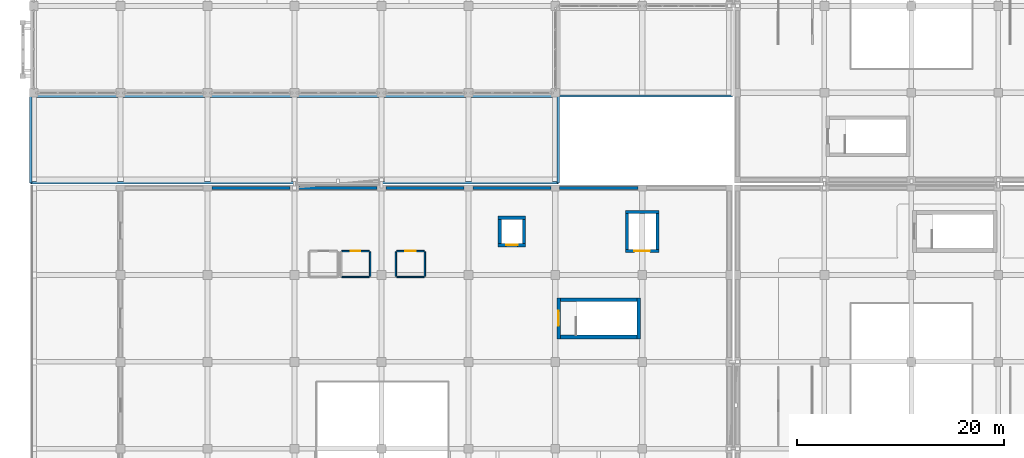
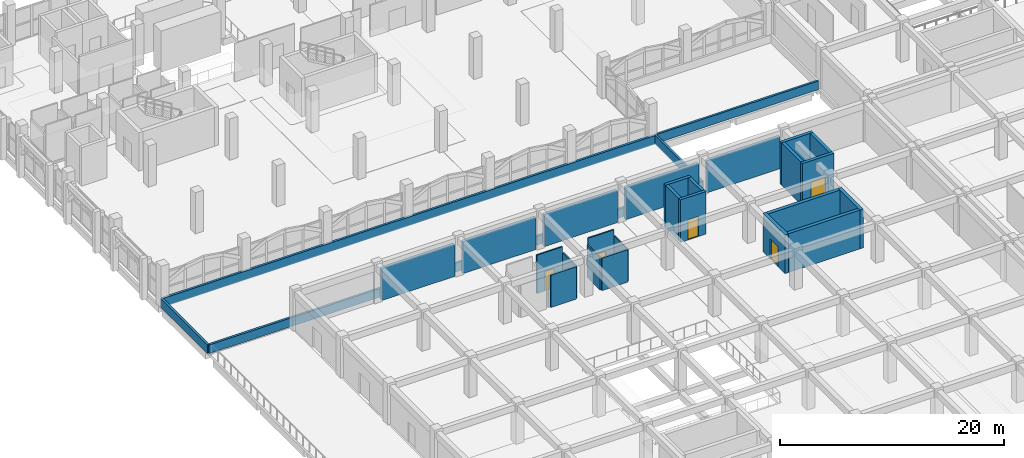
# One storey, part 109 of 129: 29 walls, 5 doors, 5 openings.
"""IFC4 building model written with IfcOpenShell, lengths in metres."""

from ifc_helpers import new_model, si_unit, direction, frame, frame_2d, origin, place, context, subcontext, project, spatial, rectangle, extrude, material, layer, layer_set, type_object, element, fill, save


model = new_model("IFC4")

# Units and contexts
model_context = context("Model", 3, precision=1e-05, world=origin(), true_north=direction((0.0, 1.0)))
body_context = subcontext(model_context, "Body", "Model", "MODEL_VIEW")
ifc_project = project(units=[si_unit("LENGTHUNIT", "METRE"), si_unit("AREAUNIT", "SQUARE_METRE"), si_unit("VOLUMEUNIT", "CUBIC_METRE"), si_unit("PLANEANGLEUNIT", "RADIAN"), si_unit("MASSUNIT", "GRAM", prefix="KILO")], contexts=[model_context])

# Site, building, storey
site_placement = place(None, origin())
site = spatial("IfcSite", under=ifc_project, at=site_placement, CompositionType="ELEMENT")
building_placement = place(site_placement, origin())
building = spatial("IfcBuilding", under=site, at=building_placement, Name="Xazarin Passage Department Store", CompositionType="ELEMENT")
storey_placement = place(building_placement, frame((0.0, 0.0, 9.89990234375)))
storey = spatial("IfcBuildingStorey", under=building, at=storey_placement, Name="L02", CompositionType="ELEMENT", Elevation=9.89990234375)

# Walls
ifc_material_1 = material(Name="Buff Baku clay brick", Category="masonry")
ifc_layer_1 = layer(ifc_material_1, 0.320068359375)
ifc_layer_set_1 = layer_set([ifc_layer_1], Name="Buff Baku clay brick")
wall_type_1 = type_object("IfcWallType", Name="ARC-W-EXT320", PredefinedType="SOLIDWALL", material=ifc_layer_set_1)
wall_1_placement = place(storey_placement, frame((17.22509765625, 50.39990234375, 0.0), z_axis=(0.0, 0.0, 1.0), x_axis=(1.0, 0.0, 0.0)))
element("IfcWall", 1, at=wall_1_placement, inside=storey, type_object=wall_type_1, Name="L02 V3 Exterior Wall 230", PredefinedType="SOLIDWALL", context=body_context, shape_type="SweptSolid", body=[
    extrude(rectangle(XDim=7.5498046875, YDim=0.320068359375, at=frame_2d((3.77490234375, 0.0))), origin(), (0.0, 0.0, 1.0), 3.489990234375),
])
for number, where, z_axis, x_axis, name in (
    (2, (25.625, 50.39990234375, 0.0), (0.0, 0.0, 1.0), (1.0, 0.0, 0.0), "L02 V3 Exterior Wall 231"),
    (3, (34.02490234375, 50.39990234375, 0.0), (0.0, 0.0, 1.0), (1.0, 0.0, 0.0), "L02 V3 Exterior Wall 232"),
    (4, (42.425048828125, 50.39990234375, 0.0), (0.0, 0.0, 1.0), (1.0, 0.0, 0.0), "L02 V3 Exterior Wall 233"),
    (5, (50.824951171875, 50.39990234375, 0.0), (0.0, 0.0, 1.0), (1.0, 0.0, 0.0), "L02 V3 Exterior Wall 234"),
):
    element("IfcWall", number, at=place(storey_placement, frame(where, z_axis=z_axis, x_axis=x_axis)), inside=storey, type_object=wall_type_1, Name=name, PredefinedType="SOLIDWALL", context=body_context, shape_type="SweptSolid", body=[
        extrude(rectangle(XDim=7.550048828125, YDim=0.320068359375, at=frame_2d((3.77490234375, 0.0))), origin(), (0.0, 0.0, 1.0), 3.489990234375),
    ])
ifc_material_2 = material(Name="Precast concrete C40/50", Category="concrete")
ifc_layer_2 = layer(ifc_material_2, 0.2099609375)
ifc_layer_set_2 = layer_set([ifc_layer_2], Name="Precast concrete C40/50")
wall_type_2 = type_object("IfcWallType", Name="ARC-W-PAR210", PredefinedType="PARAPET", material=ifc_layer_set_2)
wall_2_placement = place(storey_placement, frame((50.75, 59.300048828125, 0.0), z_axis=(0.0, 0.0, 1.0), x_axis=(1.0, 0.0, 0.0)))
element("IfcWall", 6, at=wall_2_placement, inside=storey, type_object=wall_type_2, Name="L02 Roof Parapet 008", PredefinedType="PARAPET", context=body_context, shape_type="SweptSolid", body=[
    extrude(rectangle(XDim=16.75, YDim=0.2099609375, at=frame_2d((8.375, 0.0))), origin(), (0.0, 0.0, 1.0), 0.9501953125),
])
ifc_layer_3 = layer(ifc_material_2, 0.22998046875)
ifc_layer_set_3 = layer_set([ifc_layer_3], Name="Precast concrete C40/50")
wall_type_3 = type_object("IfcWallType", Name="ARC-W-PAR230", PredefinedType="PARAPET", material=ifc_layer_set_3)
wall_3_placement = place(storey_placement, frame((50.699951171875, 59.25, 0.0), z_axis=(0.0, 0.0, 1.0), x_axis=(-1.0, 0.0, 0.0)))
element("IfcWall", 7, at=wall_3_placement, inside=storey, type_object=wall_type_3, Name="L02 Roof Parapet 009", PredefinedType="PARAPET", context=body_context, shape_type="SweptSolid", body=[
    extrude(rectangle(XDim=51.0, YDim=0.22998046875, at=frame_2d((25.5, 0.0))), origin(), (0.0, 0.0, 1.0), 0.9501953125),
])
wall_4_placement = place(storey_placement, frame((-0.300048828125, 59.25, 0.0), z_axis=(0.0, 0.0, 1.0), x_axis=(0.0, -1.0, 0.0)))
element("IfcWall", 8, at=wall_4_placement, inside=storey, type_object=wall_type_3, Name="L02 Roof Parapet 010", PredefinedType="PARAPET", context=body_context, shape_type="SweptSolid", body=[
    extrude(rectangle(XDim=8.35009765625, YDim=0.22998046875, at=frame_2d((4.175048828125, 0.0))), origin(), (0.0, 0.0, 1.0), 0.9501953125),
])
wall_5_placement = place(storey_placement, frame((-0.300048828125, 50.89990234375, 0.0), z_axis=(0.0, 0.0, 1.0), x_axis=(1.0, 0.0, 0.0)))
element("IfcWall", 9, at=wall_5_placement, inside=storey, type_object=wall_type_3, Name="L02 Roof Parapet 011", PredefinedType="PARAPET", context=body_context, shape_type="SweptSolid", body=[
    extrude(rectangle(XDim=51.0, YDim=0.22998046875, at=frame_2d((25.5, 0.0))), origin(), (0.0, 0.0, 1.0), 0.9501953125),
])
wall_6_placement = place(storey_placement, frame((50.699951171875, 50.89990234375, 0.0), z_axis=(0.0, 0.0, 1.0), x_axis=(0.0, 1.0, 0.0)))
element("IfcWall", 10, at=wall_6_placement, inside=storey, type_object=wall_type_3, Name="L02 Roof Parapet 012", PredefinedType="PARAPET", context=body_context, shape_type="SweptSolid", body=[
    extrude(rectangle(XDim=8.35009765625, YDim=0.22998046875, at=frame_2d((4.175048828125, 0.0))), origin(), (0.0, 0.0, 1.0), 0.9501953125),
])

# Wall, opening, door
ifc_material_3 = material(Name="Moisture-resistant masonry partition", Category="masonry")
ifc_layer_4 = layer(ifc_material_3, 0.139892578125)
ifc_layer_set_4 = layer_set([ifc_layer_4], Name="Moisture-resistant masonry partition")
wall_type_4 = type_object("IfcWallType", Name="ARC-W-PRT140", PredefinedType="PARTITIONING", material=ifc_layer_set_4)
wall_7_placement = place(storey_placement, frame((29.77001953125, 44.300048828125, 0.0), z_axis=(0.0, 0.0, 1.0), x_axis=(1.0, 0.0, 0.0)))
wall_7 = element("IfcWall", 11, at=wall_7_placement, inside=storey, type_object=wall_type_4, Name="L02 Public Female WC 0180", PredefinedType="PARTITIONING", context=body_context, shape_type="SweptSolid", body=[
    extrude(rectangle(XDim=2.659912109375, YDim=0.139892578125, at=frame_2d((1.330078125, 0.0))), origin(), (0.0, 0.0, 1.0), 4.2001953125),
])
opening_1_placement = place(wall_7_placement, frame((0.8701171875, 0.0, 0.0)))
opening_1 = element("IfcOpeningElement", 12, at=opening_1_placement, cuts=wall_7, Name="Opening ID1", PredefinedType="OPENING", context=body_context, shape_type="SweptSolid", body=[
    extrude(rectangle(XDim=0.919921875, YDim=2.1201171875, at=frame_2d((0.4599609375, 1.06005859375))), frame((0.0, 0.079833984375, 0.0), z_axis=(0.0, -1.0, 0.0), x_axis=(1.0, 0.0, 0.0)), (0.0, 0.0, 1.0), 0.159912109375),
])
ifc_material_4 = material(Name="Timber acoustic leaf", Category="wood")
door_type_1 = type_object("IfcDoorType", Name="ARC-DR-WC092", OperationType="NOTDEFINED", PredefinedType="DOOR", material=ifc_material_4)
door_1_placement = place(opening_1_placement, origin())
door_1 = element("IfcDoor", 13, at=door_1_placement, inside=storey, type_object=door_type_1, Name="DR-INT-L02-0180", OperationType="SINGLE_SWING_RIGHT", OverallHeight=2.1201171875, OverallWidth=0.919921875, PredefinedType="DOOR", context=body_context, shape_type="SweptSolid", body=[
    extrude(rectangle(XDim=0.919921875, YDim=2.1201171875, at=frame_2d((0.4599609375, 1.06005859375))), frame((0.0, 0.02490234375, 0.0), z_axis=(0.0, -1.0, 0.0), x_axis=(1.0, 0.0, 0.0)), (0.0, 0.0, 1.0), 0.050048828125),
])
fill(opening_1, door_1)

# Walls
wall_8_placement = place(storey_placement, frame((29.77001953125, 41.800048828125, 0.0), z_axis=(0.0, 0.0, 1.0), x_axis=(1.0, 0.0, 0.0)))
element("IfcWall", 14, at=wall_8_placement, inside=storey, type_object=wall_type_4, Name="L02 Public Female WC Back Wall 0181", PredefinedType="PARTITIONING", context=body_context, shape_type="SweptSolid", body=[
    extrude(rectangle(XDim=2.659912109375, YDim=0.139892578125, at=frame_2d((1.330078125, 0.0))), origin(), (0.0, 0.0, 1.0), 3.5400390625),
])
wall_9_placement = place(storey_placement, frame((32.5, 41.8701171875, 0.0), z_axis=(0.0, 0.0, 1.0), x_axis=(0.0, 1.0, 0.0)))
element("IfcWall", 15, at=wall_9_placement, inside=storey, type_object=wall_type_4, Name="L02 Public Female WC Side Wall 0183", PredefinedType="PARTITIONING", context=body_context, shape_type="SweptSolid", body=[
    extrude(rectangle(XDim=2.35986328125, YDim=0.139892578125, at=frame_2d((1.179931640625, 0.0))), origin(), (0.0, 0.0, 1.0), 3.5400390625),
])

# Wall, opening, door
wall_10_placement = place(storey_placement, frame((35.070068359375, 44.300048828125, 0.0), z_axis=(0.0, 0.0, 1.0), x_axis=(1.0, 0.0, 0.0)))
wall_10 = element("IfcWall", 16, at=wall_10_placement, inside=storey, type_object=wall_type_4, Name="L02 Accessible WC 0184", PredefinedType="PARTITIONING", context=body_context, shape_type="SweptSolid", body=[
    extrude(rectangle(XDim=2.659912109375, YDim=0.139892578125, at=frame_2d((1.330078125, 0.0))), origin(), (0.0, 0.0, 1.0), 4.2001953125),
])
opening_2_placement = place(wall_10_placement, frame((0.820068359375, 0.0, 0.0)))
opening_2 = element("IfcOpeningElement", 17, at=opening_2_placement, cuts=wall_10, Name="Opening ID2", PredefinedType="OPENING", context=body_context, shape_type="SweptSolid", body=[
    extrude(rectangle(XDim=1.02001953125, YDim=2.14990234375, at=frame_2d((0.510009765625, 1.074951171875))), frame((0.0, 0.079833984375, 0.0), z_axis=(0.0, -1.0, 0.0), x_axis=(1.0, 0.0, 0.0)), (0.0, 0.0, 1.0), 0.159912109375),
])
door_type_2 = type_object("IfcDoorType", Name="ARC-DR-AWC102", OperationType="NOTDEFINED", PredefinedType="DOOR", material=ifc_material_4)
door_2_placement = place(opening_2_placement, origin())
door_2 = element("IfcDoor", 18, at=door_2_placement, inside=storey, type_object=door_type_2, Name="DR-INT-L02-0184", OperationType="SINGLE_SWING_LEFT", OverallHeight=2.14990234375, OverallWidth=1.02001953125, PredefinedType="DOOR", context=body_context, shape_type="SweptSolid", body=[
    extrude(rectangle(XDim=1.02001953125, YDim=2.14990234375, at=frame_2d((0.510009765625, 1.074951171875))), frame((0.0, 0.02490234375, 0.0), z_axis=(0.0, -1.0, 0.0), x_axis=(1.0, 0.0, 0.0)), (0.0, 0.0, 1.0), 0.050048828125),
])
fill(opening_2, door_2)

# Walls
wall_11_placement = place(storey_placement, frame((35.070068359375, 41.800048828125, 0.0), z_axis=(0.0, 0.0, 1.0), x_axis=(1.0, 0.0, 0.0)))
element("IfcWall", 19, at=wall_11_placement, inside=storey, type_object=wall_type_4, Name="L02 Accessible WC Back Wall 0185", PredefinedType="PARTITIONING", context=body_context, shape_type="SweptSolid", body=[
    extrude(rectangle(XDim=2.659912109375, YDim=0.139892578125, at=frame_2d((1.330078125, 0.0))), origin(), (0.0, 0.0, 1.0), 3.5400390625),
])
for number, where, z_axis, x_axis, name in (
    (20, (35.0, 41.8701171875, 0.0), (0.0, 0.0, 1.0), (0.0, 1.0, 0.0), "L02 Accessible WC Side Wall 0186"),
    (21, (37.800048828125, 41.8701171875, 0.0), (0.0, 0.0, 1.0), (0.0, 1.0, 0.0), "L02 Accessible WC Side Wall 0187"),
):
    element("IfcWall", number, at=place(storey_placement, frame(where, z_axis=z_axis, x_axis=x_axis)), inside=storey, type_object=wall_type_4, Name=name, PredefinedType="PARTITIONING", context=body_context, shape_type="SweptSolid", body=[
        extrude(rectangle(XDim=2.35986328125, YDim=0.139892578125, at=frame_2d((1.179931640625, 0.0))), origin(), (0.0, 0.0, 1.0), 3.5400390625),
    ])

# Wall, opening, door
ifc_material_5 = material(Name="Concrete C40/50", Category="concrete")
ifc_layer_5 = layer(ifc_material_5, 0.31005859375)
ifc_layer_set_5 = layer_set([ifc_layer_5], Name="Concrete C40/50")
wall_type_5 = type_object("IfcWallType", Name="STR-W-LFT310", PredefinedType="SHEAR", material=ifc_layer_set_5)
wall_12_placement = place(storey_placement, frame((44.8701171875, 44.875, 0.0), z_axis=(0.0, 0.0, 1.0), x_axis=(1.0, 0.0, 0.0)))
wall_12 = element("IfcWall", 22, at=wall_12_placement, inside=storey, type_object=wall_type_5, Name="L02 Lift PL4 Shaft Wall South", PredefinedType="SHEAR", context=body_context, shape_type="SweptSolid", body=[
    extrude(rectangle(XDim=2.659912109375, YDim=0.31005859375, at=frame_2d((1.330078125, 0.0))), origin(), (0.0, 0.0, 1.0), 4.650146484375),
])
opening_3_placement = place(wall_12_placement, frame((0.780029296875, 0.0, 0.0)))
opening_3 = element("IfcOpeningElement", 23, at=opening_3_placement, cuts=wall_12, Name="Opening LD-PL4-L02", PredefinedType="OPENING", context=body_context, shape_type="SweptSolid", body=[
    extrude(rectangle(XDim=1.10009765625, YDim=2.199951171875, at=frame_2d((0.550048828125, 1.10009765625))), frame((0.0, 0.1650390625, 0.0), z_axis=(0.0, -1.0, 0.0), x_axis=(1.0, 0.0, 0.0)), (0.0, 0.0, 1.0), 0.330078125),
])
ifc_material_6 = material(Name="Steel S355", Category="steel")
door_type_3 = type_object("IfcDoorType", Name="ARC-DR-LD110", OperationType="NOTDEFINED", PredefinedType="DOOR", material=ifc_material_6)
door_3_placement = place(opening_3_placement, origin())
door_3 = element("IfcDoor", 24, at=door_3_placement, inside=storey, type_object=door_type_3, Name="DR-LD-PL4-L02", OperationType="SLIDING_TO_LEFT", OverallHeight=2.199951171875, OverallWidth=1.10009765625, PredefinedType="DOOR", context=body_context, shape_type="SweptSolid", body=[
    extrude(rectangle(XDim=1.10009765625, YDim=2.199951171875, at=frame_2d((0.550048828125, 1.10009765625))), frame((0.0, 0.02490234375, 0.0), z_axis=(0.0, -1.0, 0.0), x_axis=(1.0, 0.0, 0.0)), (0.0, 0.0, 1.0), 0.050048828125),
])
fill(opening_3, door_3)

# Walls
wall_13_placement = place(storey_placement, frame((44.8701171875, 47.52490234375, 0.0), z_axis=(0.0, 0.0, 1.0), x_axis=(1.0, 0.0, 0.0)))
element("IfcWall", 25, at=wall_13_placement, inside=storey, type_object=wall_type_5, Name="L02 Lift PL4 Shaft Wall North", PredefinedType="SHEAR", context=body_context, shape_type="SweptSolid", body=[
    extrude(rectangle(XDim=2.659912109375, YDim=0.31005859375, at=frame_2d((1.330078125, 0.0))), origin(), (0.0, 0.0, 1.0), 4.650146484375),
])
for number, where, z_axis, x_axis, name in (
    (26, (45.02490234375, 45.030029296875, 0.0), (0.0, 0.0, 1.0), (0.0, 1.0, 0.0), "L02 Lift PL4 Shaft Wall West"),
    (27, (47.375, 45.030029296875, 0.0), (0.0, 0.0, 1.0), (0.0, 1.0, 0.0), "L02 Lift PL4 Shaft Wall East"),
):
    element("IfcWall", number, at=place(storey_placement, frame(where, z_axis=z_axis, x_axis=x_axis)), inside=storey, type_object=wall_type_5, Name=name, PredefinedType="SHEAR", context=body_context, shape_type="SweptSolid", body=[
        extrude(rectangle(XDim=2.340087890625, YDim=0.31005859375, at=frame_2d((1.169921875, 0.0))), origin(), (0.0, 0.0, 1.0), 4.650146484375),
    ])

# Wall, opening, door
wall_14_placement = place(storey_placement, frame((57.169921875, 44.324951171875, 0.0), z_axis=(0.0, 0.0, 1.0), x_axis=(1.0, 0.0, 0.0)))
wall_14 = element("IfcWall", 28, at=wall_14_placement, inside=storey, type_object=wall_type_5, Name="L02 Lift GL3 Shaft Wall South", PredefinedType="SHEAR", context=body_context, shape_type="SweptSolid", body=[
    extrude(rectangle(XDim=3.260009765625, YDim=0.31005859375, at=frame_2d((1.6298828125, 0.0))), origin(), (0.0, 0.0, 1.0), 4.650146484375),
])
opening_4_placement = place(wall_14_placement, frame((0.8798828125, 0.0, 0.0)))
opening_4 = element("IfcOpeningElement", 29, at=opening_4_placement, cuts=wall_14, Name="Opening LD-GL3-L02", PredefinedType="OPENING", context=body_context, shape_type="SweptSolid", body=[
    extrude(rectangle(XDim=1.5, YDim=2.35009765625, at=frame_2d((0.75, 1.175048828125))), frame((0.0, 0.1650390625, 0.0), z_axis=(0.0, -1.0, 0.0), x_axis=(1.0, 0.0, 0.0)), (0.0, 0.0, 1.0), 0.330078125),
])
door_type_4 = type_object("IfcDoorType", Name="ARC-DR-LD150", OperationType="NOTDEFINED", PredefinedType="DOOR", material=ifc_material_6)
door_4_placement = place(opening_4_placement, origin())
door_4 = element("IfcDoor", 30, at=door_4_placement, inside=storey, type_object=door_type_4, Name="DR-LD-GL3-L02", OperationType="SLIDING_TO_LEFT", OverallHeight=2.35009765625, OverallWidth=1.5, PredefinedType="DOOR", context=body_context, shape_type="SweptSolid", body=[
    extrude(rectangle(XDim=1.5, YDim=2.35009765625, at=frame_2d((0.75, 1.175048828125))), frame((0.0, 0.02490234375, 0.0), z_axis=(0.0, -1.0, 0.0), x_axis=(1.0, 0.0, 0.0)), (0.0, 0.0, 1.0), 0.050048828125),
])
fill(opening_4, door_4)

# Walls
wall_15_placement = place(storey_placement, frame((57.169921875, 48.074951171875, 0.0), z_axis=(0.0, 0.0, 1.0), x_axis=(1.0, 0.0, 0.0)))
element("IfcWall", 31, at=wall_15_placement, inside=storey, type_object=wall_type_5, Name="L02 Lift GL3 Shaft Wall North", PredefinedType="SHEAR", context=body_context, shape_type="SweptSolid", body=[
    extrude(rectangle(XDim=3.260009765625, YDim=0.31005859375, at=frame_2d((1.6298828125, 0.0))), origin(), (0.0, 0.0, 1.0), 4.650146484375),
])
for number, where, z_axis, x_axis, name in (
    (32, (57.324951171875, 44.47998046875, 0.0), (0.0, 0.0, 1.0), (0.0, 1.0, 0.0), "L02 Lift GL3 Shaft Wall West"),
    (33, (60.27490234375, 44.47998046875, 0.0), (0.0, 0.0, 1.0), (0.0, 1.0, 0.0), "L02 Lift GL3 Shaft Wall East"),
):
    element("IfcWall", number, at=place(storey_placement, frame(where, z_axis=z_axis, x_axis=x_axis)), inside=storey, type_object=wall_type_5, Name=name, PredefinedType="SHEAR", context=body_context, shape_type="SweptSolid", body=[
        extrude(rectangle(XDim=3.43994140625, YDim=0.31005859375, at=frame_2d((1.719970703125, 0.0))), origin(), (0.0, 0.0, 1.0), 4.650146484375),
    ])

# Wall, opening, door
ifc_layer_6 = layer(ifc_material_5, 0.35009765625)
ifc_layer_set_6 = layer_set([ifc_layer_6], Name="Concrete C40/50")
wall_type_6 = type_object("IfcWallType", Name="STR-W-SHR350", PredefinedType="SHEAR", material=ifc_layer_set_6)
wall_16_placement = place(storey_placement, frame((50.72509765625, 39.77001953125, 0.0), z_axis=(0.0, 0.0, 1.0), x_axis=(0.0, -1.0, 0.0)))
wall_16 = element("IfcWall", 34, at=wall_16_placement, inside=storey, type_object=wall_type_6, Name="L02 Core K9 West Shear Wall", PredefinedType="SHEAR", context=body_context, shape_type="SweptSolid", body=[
    extrude(rectangle(XDim=3.93994140625, YDim=0.35009765625, at=frame_2d((1.969970703125, 0.0))), origin(), (0.0, 0.0, 1.0), 4.239990234375),
])
opening_5_placement = place(wall_16_placement, frame((1.2451171875, 0.0, 0.0)))
opening_5 = element("IfcOpeningElement", 35, at=opening_5_placement, cuts=wall_16, Name="Opening FD1", PredefinedType="OPENING", context=body_context, shape_type="SweptSolid", body=[
    extrude(rectangle(XDim=1.449951171875, YDim=2.199951171875, at=frame_2d((0.72509765625, 1.10009765625))), frame((0.0, 0.18505859375, 0.0), z_axis=(0.0, -1.0, 0.0), x_axis=(1.0, 0.0, 0.0)), (0.0, 0.0, 1.0), 0.3701171875),
])
door_type_5 = type_object("IfcDoorType", Name="ARC-DR-STR145", OperationType="NOTDEFINED", PredefinedType="DOOR", material=ifc_material_6)
door_5_placement = place(opening_5_placement, origin())
door_5 = element("IfcDoor", 36, at=door_5_placement, inside=storey, type_object=door_type_5, Name="DR-STR-K9-L02", OperationType="SINGLE_SWING_LEFT", OverallHeight=2.199951171875, OverallWidth=1.449951171875, PredefinedType="DOOR", context=body_context, shape_type="SweptSolid", body=[
    extrude(rectangle(XDim=1.449951171875, YDim=2.199951171875, at=frame_2d((0.72509765625, 1.10009765625))), frame((0.0, 0.02490234375, 0.0), z_axis=(0.0, -1.0, 0.0), x_axis=(1.0, 0.0, 0.0)), (0.0, 0.0, 1.0), 0.050048828125),
])
fill(opening_5, door_5)

# Walls
wall_17_placement = place(storey_placement, frame((58.47509765625, 35.830078125, 0.0), z_axis=(0.0, 0.0, 1.0), x_axis=(0.0, 1.0, 0.0)))
element("IfcWall", 37, at=wall_17_placement, inside=storey, type_object=wall_type_6, Name="L02 Core K9 East Shear Wall", PredefinedType="SHEAR", context=body_context, shape_type="SweptSolid", body=[
    extrude(rectangle(XDim=3.93994140625, YDim=0.35009765625, at=frame_2d((1.969970703125, 0.0))), origin(), (0.0, 0.0, 1.0), 4.239990234375),
])
for number, where, z_axis, x_axis, name in (
    (38, (50.89990234375, 36.0048828125, 0.0), (0.0, 0.0, 1.0), (1.0, 0.0, 0.0), "L02 Core K9 South Shear Wall"),
    (39, (50.89990234375, 39.594970703125, 0.0), (0.0, 0.0, 1.0), (1.0, 0.0, 0.0), "L02 Core K9 North Shear Wall"),
):
    element("IfcWall", number, at=place(storey_placement, frame(where, z_axis=z_axis, x_axis=x_axis)), inside=storey, type_object=wall_type_6, Name=name, PredefinedType="SHEAR", context=body_context, shape_type="SweptSolid", body=[
        extrude(rectangle(XDim=7.400146484375, YDim=0.35009765625, at=frame_2d((3.7001953125, 0.0))), origin(), (0.0, 0.0, 1.0), 4.239990234375),
    ])

save(model, "model.ifc")
